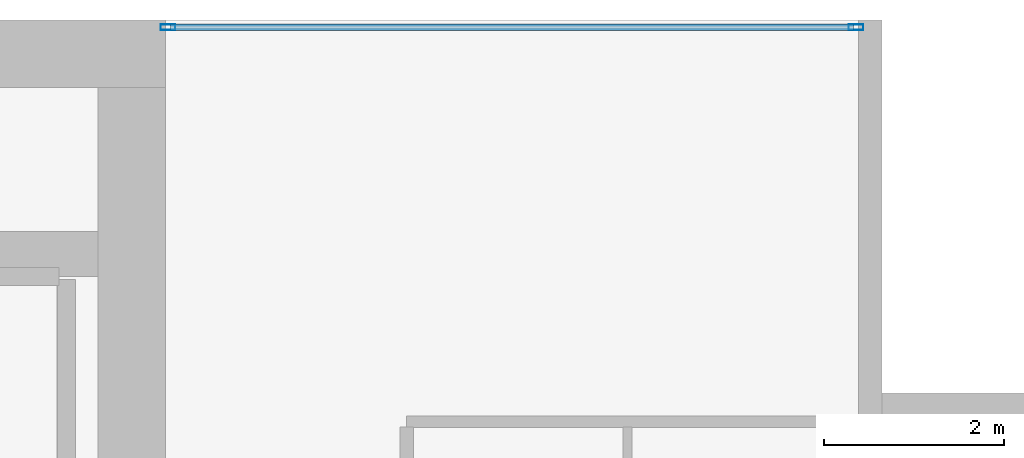
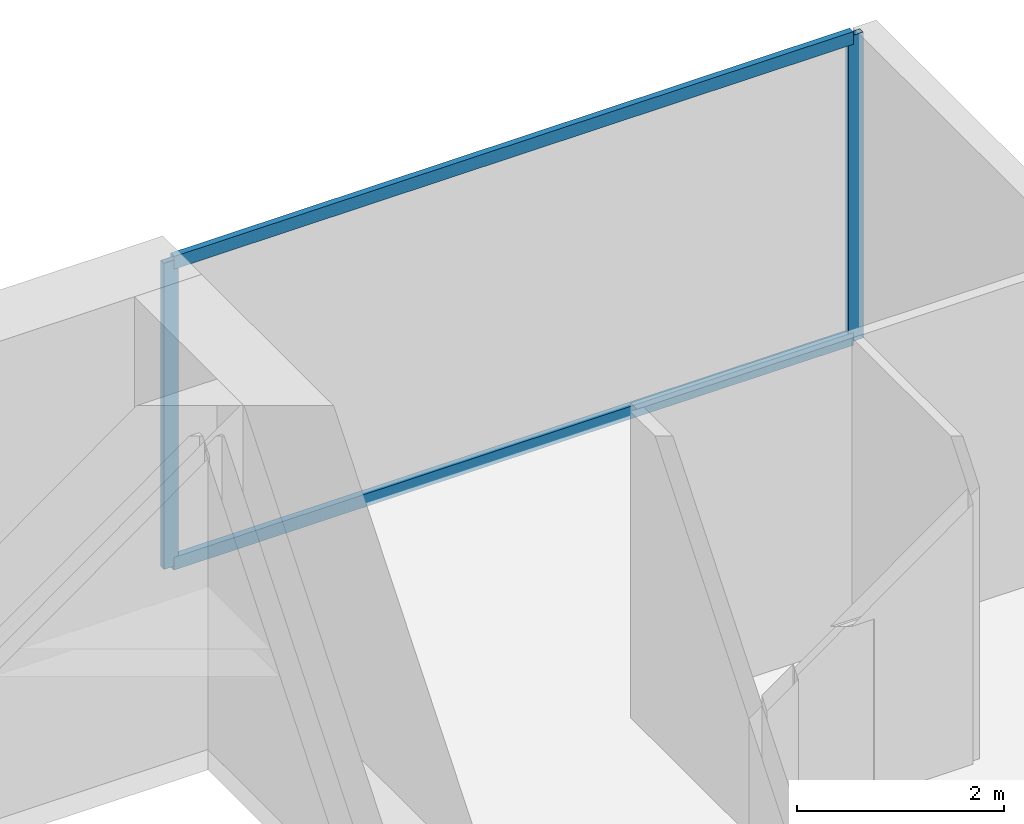
# One storey, part 25 of 33: 4 members, 1 element without a shape of its own.
"""IFC4 building model written with IfcOpenShell, lengths in metres."""

import ifcopenshell
import ifcopenshell.guid

model = None  # the IFC model being written
_history = None  # IfcOwnerHistory: only IFC2X3 demands one
_inside = {}  # id of a spatial element -> (the spatial element, [elements in it])
_under = {}  # id of a project, library or spatial element -> (it, [spatial elements below it])
_declared = {}  # id of a project -> (the project, [libraries it declares])
_typed = {}  # id of a type object -> (the type object, [elements of that type])
_made_of = {}  # id of a material, layer set ... -> (it, [elements and type objects made of it])


def new_model(schema):
    """Start an empty IFC model of exactly this schema.

    Asked for "IFC4X3", IfcOpenShell would pick the latest addendum, in which some entities
    have other attributes; the version numbers below select the first issue.
    IFC2X3 requires an IfcOwnerHistory on every rooted entity: one is made here for all.
    """
    global model, _history
    if schema == "IFC4X3":
        model = ifcopenshell.file(schema_version=(4, 3, 0, 0))
    else:
        model = ifcopenshell.file(schema=schema)
    _inside.clear()
    _under.clear()
    _declared.clear()
    _typed.clear()
    _made_of.clear()
    _history = None
    if model.schema == "IFC2X3":
        org = make("IfcOrganization", Name="unknown")
        user = make(
            "IfcPersonAndOrganization",
            ThePerson=make("IfcPerson", FamilyName="unknown"),
            TheOrganization=org,
        )
        app = make(
            "IfcApplication",
            ApplicationDeveloper=org,
            Version="unknown",
            ApplicationFullName="unknown",
            ApplicationIdentifier="unknown",
        )
        _history = make(
            "IfcOwnerHistory",
            OwningUser=user,
            OwningApplication=app,
            ChangeAction="ADDED",
            CreationDate=0,
        )
    return model


def make(cls, **values):
    """One entity of the class cls with the attributes given. An attribute that is None is left unset."""
    return model.create_entity(
        cls, **{name: value for name, value in values.items() if value is not None}
    )


def rooted(cls, **values):
    """An entity with a GlobalId (a new one), such as an element, a storey or a relation."""
    return make(cls, GlobalId=ifcopenshell.guid.new(), OwnerHistory=_history, **values)


def si_unit(unit_type, name, prefix=None):
    """IfcSIUnit, for example si_unit("LENGTHUNIT", "METRE", prefix="MILLI")."""
    return make("IfcSIUnit", UnitType=unit_type, Prefix=prefix, Name=name)


def assignment(units):
    """IfcUnitAssignment: the units of a project."""
    return None if units is None else make("IfcUnitAssignment", Units=units)


def point(xyz):
    """IfcCartesianPoint."""
    return None if xyz is None else make("IfcCartesianPoint", Coordinates=xyz)


def direction(xyz):
    """IfcDirection."""
    return None if xyz is None else make("IfcDirection", DirectionRatios=xyz)


def frame(location, z_axis=None, x_axis=None):
    """IfcAxis2Placement3D, a coordinate frame: its origin and axes. An axis left out is left unset."""
    return make(
        "IfcAxis2Placement3D",
        Location=point(location),
        Axis=direction(z_axis),
        RefDirection=direction(x_axis),
    )


def frame_2d(location, x_axis=None):
    """IfcAxis2Placement2D, a coordinate frame in the plane: its origin and x axis."""
    return make(
        "IfcAxis2Placement2D", Location=point(location), RefDirection=direction(x_axis)
    )


def origin():
    """The frame at (0, 0, 0) with its axes left unset."""
    return frame((0.0, 0.0, 0.0))


def origin_2d():
    """The frame at (0, 0) in the plane with its x axis left unset."""
    return frame_2d((0.0, 0.0))


def place(relative_to, where):
    """IfcLocalPlacement: puts the frame where relative to a parent placement (None: the world)."""
    return make(
        "IfcLocalPlacement", PlacementRelTo=relative_to, RelativePlacement=where
    )


def context(
    kind, dimensions, precision=None, world=None, true_north=None, identifier=None
):
    """IfcGeometricRepresentationContext, for example the 3D "Model" context."""
    return make(
        "IfcGeometricRepresentationContext",
        ContextIdentifier=identifier,
        ContextType=kind,
        CoordinateSpaceDimension=dimensions,
        Precision=precision,
        WorldCoordinateSystem=world,
        TrueNorth=true_north,
    )


def subcontext(parent, identifier, kind, view, scale=None):
    """IfcGeometricRepresentationSubContext, for example "Body" below "Model"."""
    return make(
        "IfcGeometricRepresentationSubContext",
        ContextIdentifier=identifier,
        ContextType=kind,
        ParentContext=parent,
        TargetScale=scale,
        TargetView=view,
    )


def project(units=None, contexts=None):
    """IfcProject with its units and contexts."""
    return rooted(
        "IfcProject",
        Name="project",
        RepresentationContexts=contexts,
        UnitsInContext=assignment(units),
    )


def spatial(cls, under=None, at=None, **own):
    """A site, building, storey or space (cls), placed at a placement, below another one or the project."""
    s = rooted(cls, ObjectPlacement=at, **own)
    if under is not None:
        _under.setdefault(under.id(), (under, []))[1].append(s)
    return s


def profile(cls, at=None, kind="AREA", **sizes):
    """A parametric profile (cls). Its sizes go by their IFC names, for example OverallWidth=200.0."""
    return make(cls, ProfileType=kind, Position=at, **sizes)


def hollow_rectangle(**sizes):
    """IfcRectangleHollowProfileDef."""
    return profile("IfcRectangleHollowProfileDef", **sizes)


def extrude(swept, where, along, depth):
    """IfcExtrudedAreaSolid: the profile swept, set in the frame where, extruded along a direction by depth."""
    return make(
        "IfcExtrudedAreaSolid",
        SweptArea=swept,
        Position=where,
        ExtrudedDirection=direction(along),
        Depth=depth,
    )


def shape(context_of_items, identifier, shape_type, items):
    """IfcShapeRepresentation: the items that make up one representation, for example the "Body"."""
    return make(
        "IfcShapeRepresentation",
        ContextOfItems=context_of_items,
        RepresentationIdentifier=identifier,
        RepresentationType=shape_type,
        Items=items,
    )


def material(Name=None, Category=None):
    """IfcMaterial."""
    return make("IfcMaterial", Name=Name, Category=Category)


def layer(
    of_material, thickness, ventilated=None, Name=None, Category=None, Priority=None
):
    """IfcMaterialLayer: one layer of a wall or slab, of a material (None: an air gap)."""
    return make(
        "IfcMaterialLayer",
        Material=of_material,
        LayerThickness=thickness,
        IsVentilated=ventilated,
        Name=Name,
        Category=Category,
        Priority=Priority,
    )


def layer_set(layers, Name=None):
    """IfcMaterialLayerSet."""
    return make("IfcMaterialLayerSet", MaterialLayers=layers, LayerSetName=Name)


def material_profile(
    of_material, cross_section, Name=None, Category=None, Priority=None
):
    """IfcMaterialProfile: a cross section and its material."""
    return make(
        "IfcMaterialProfile",
        Name=Name,
        Material=of_material,
        Profile=cross_section,
        Priority=Priority,
        Category=Category,
    )


def profile_set(profiles, Name=None, composite=None):
    """IfcMaterialProfileSet."""
    return make(
        "IfcMaterialProfileSet",
        Name=Name,
        MaterialProfiles=profiles,
        CompositeProfile=composite,
    )


def made_of(thing, what):
    """Note that an element or type object is made of a material, layer set ...; save() writes the relation."""
    if what is not None:
        _made_of.setdefault(what.id(), (what, []))[1].append(thing)
    return thing


def type_object(cls, material=None, **own):
    """A type object (cls), such as IfcWallType, which elements share."""
    return made_of(rooted(cls, **own), material)


def element(
    cls,
    number,
    at=None,
    inside=None,
    cuts=None,
    type_object=None,
    material=None,
    context=None,
    identifier="Body",
    shape_type=None,
    held_by="IfcProductDefinitionShape",
    body=None,
    shapes=None,
    **own,
):
    """One element of the class cls, such as IfcWall. Its Tag is "e" and its number.

    at: its placement. inside: the storey or other place that contains it. cuts: it is an
    opening in that element (IfcRelVoidsElement). A single representation is given by context,
    identifier, shape_type and body (its items); several are given by shapes. held_by: the class
    of the entity that holds the representations. save() writes the other relations.
    """
    e = rooted(cls, Tag="e%d" % number, ObjectPlacement=at, **own)
    if body is not None:
        shapes = [shape(context, identifier, shape_type, body)]
    if shapes is not None:
        e.Representation = make(held_by, Representations=shapes)
    if inside is not None:
        _inside.setdefault(inside.id(), (inside, []))[1].append(e)
    if cuts is not None:
        rooted(
            "IfcRelVoidsElement", RelatingBuildingElement=cuts, RelatedOpeningElement=e
        )
    if type_object is not None:
        _typed.setdefault(type_object.id(), (type_object, []))[1].append(e)
    return made_of(e, material)


def aggregate(whole, parts):
    """IfcRelAggregates: a whole, such as a stair, and the parts it consists of."""
    return rooted("IfcRelAggregates", RelatingObject=whole, RelatedObjects=parts)


def save(model, path):
    """Write the relations noted so far, then the file.

    IfcRelAggregates (storeys below a building ...), IfcRelContainedInSpatialStructure (elements
    in a storey), IfcRelDefinesByType, IfcRelAssociatesMaterial and IfcRelDeclares: one each for
    every whole, place, type object, material and project.
    """
    for whole, parts in _under.values():
        aggregate(whole, parts)
    for where, things in _inside.values():
        rooted(
            "IfcRelContainedInSpatialStructure",
            RelatedElements=things,
            RelatingStructure=where,
        )
    for kind, things in _typed.values():
        rooted("IfcRelDefinesByType", RelatedObjects=things, RelatingType=kind)
    for what, things in _made_of.values():
        rooted("IfcRelAssociatesMaterial", RelatedObjects=things, RelatingMaterial=what)
    for by, libraries in _declared.values():
        rooted("IfcRelDeclares", RelatingContext=by, RelatedDefinitions=libraries)
    model.write(path)


model = new_model("IFC4")

# Units and contexts
model_context = context("Model", 3, precision=1e-05, world=origin(), true_north=direction((0.0, 1.0)))
body_context = subcontext(model_context, "Body", "Model", "MODEL_VIEW")
ifc_project = project(units=[si_unit("LENGTHUNIT", "METRE"), si_unit("AREAUNIT", "SQUARE_METRE"), si_unit("VOLUMEUNIT", "CUBIC_METRE"), si_unit("PLANEANGLEUNIT", "RADIAN"), si_unit("MASSUNIT", "GRAM", prefix="KILO")], contexts=[model_context])

# Site, building, storey
site_placement = place(None, origin())
site = spatial("IfcSite", under=ifc_project, at=site_placement, CompositionType="ELEMENT")
building_placement = place(site_placement, origin())
building = spatial("IfcBuilding", under=site, at=building_placement, Name="Maruvema Waterfront Hotel and Observation Tower", CompositionType="ELEMENT")
storey_placement = place(building_placement, frame((0.0, 0.0, 196.699951171875)))
storey = spatial("IfcBuildingStorey", under=building, at=storey_placement, Name="L48", CompositionType="ELEMENT", Elevation=196.699951171875)

# Curtain wall, members
ifc_material_1 = material(Name="Anodised bronze aluminium and solar-control low-E IGU", Category="aluminium")
ifc_layer = layer(ifc_material_1, 0.159912109375, Name="Zone 2 Amber Inner Thermal Curtain Wall System CW-03")
ifc_layer_set = layer_set([ifc_layer], Name="Anodised bronze aluminium and solar-control low-E IGU")
curtain_wall_type = type_object("IfcCurtainWallType", Name="Zone 2 Amber Inner Thermal Curtain Wall System CW-03", PredefinedType="USERDEFINED", material=ifc_layer_set)
curtain_wall_placement = place(storey_placement, origin())
curtain_wall = element("IfcCurtainWall", 1, at=curtain_wall_placement, inside=storey, type_object=curtain_wall_type, Name="L48 Curtain Wall CW-L48-NE", ObjectType="UNITISED CURTAIN WALL", PredefinedType="USERDEFINED")
ifc_material_2 = material(Name="Anodised architectural bronze aluminium", Category="aluminium")
ifc_material_profile_1 = material_profile(ifc_material_2, hollow_rectangle(XDim=0.070068359375, YDim=0.14990234375, WallThickness=0.00390625, at=origin_2d()), Name="ALU-T70x150")
ifc_profile_set_1 = profile_set([ifc_material_profile_1], Name="Anodised architectural bronze aluminium")
member_type_1 = type_object("IfcMemberType", Name="Curtain Wall Horizontal Transom ALU-T70x150", PredefinedType="USERDEFINED", material=ifc_profile_set_1)
member_1_placement = place(storey_placement, frame((58.0400390625, 53.919921875, 0.030029296875), z_axis=(-1.0, 0.0, 0.0), x_axis=(0.0, -1.0, 0.0)))
member_1 = element("IfcMember", 2, at=member_1_placement, type_object=member_type_1, Name="CW-03 transom 1.1", ObjectType="TRANSOM", PredefinedType="USERDEFINED", context=body_context, shape_type="SweptSolid", body=[
    extrude(hollow_rectangle(XDim=0.070068359375, YDim=0.14990234375, WallThickness=0.00390625, at=origin_2d()), origin(), (0.0, 0.0, 1.0), 7.580078125),
])
member_2_placement = place(storey_placement, frame((58.0400390625, 53.919921875, 3.580078125), z_axis=(-1.0, 0.0, 0.0), x_axis=(0.0, -1.0, 0.0)))
member_2 = element("IfcMember", 3, at=member_2_placement, type_object=member_type_1, Name="CW-03 transom 1.2", ObjectType="TRANSOM", PredefinedType="USERDEFINED", context=body_context, shape_type="SweptSolid", body=[
    extrude(hollow_rectangle(XDim=0.070068359375, YDim=0.14990234375, WallThickness=0.00390625, at=origin_2d()), origin(), (0.0, 0.0, 1.0), 7.580078125),
])
ifc_material_3 = material(Name="Anodised architectural bronze aluminium", Category="aluminium")
ifc_material_profile_2 = material_profile(ifc_material_3, hollow_rectangle(XDim=0.06494140625, YDim=0.1650390625, WallThickness=0.00390625, at=origin_2d()), Name="ALU-M65x165")
ifc_profile_set_2 = profile_set([ifc_material_profile_2], Name="Anodised architectural bronze aluminium")
member_type_2 = type_object("IfcMemberType", Name="Curtain Wall Primary Mullion ALU-M65x165", PredefinedType="MULLION", material=ifc_profile_set_2)
member_3_placement = place(storey_placement, frame((58.070068359375, 53.919921875, 0.0), z_axis=(0.0, 0.0, 1.0), x_axis=(0.0, -1.0, 0.0)))
member_3 = element("IfcMember", 4, at=member_3_placement, type_object=member_type_2, Name="CW-03 mullion 1", PredefinedType="MULLION", context=body_context, shape_type="SweptSolid", body=[
    extrude(hollow_rectangle(XDim=0.06494140625, YDim=0.1650390625, WallThickness=0.00390625, at=origin_2d()), origin(), (0.0, 0.0, 1.0), 3.610107421875),
])
member_4_placement = place(storey_placement, frame((50.429931640625, 53.919921875, 0.0), z_axis=(0.0, 0.0, 1.0), x_axis=(0.0, -1.0, 0.0)))
member_4 = element("IfcMember", 5, at=member_4_placement, type_object=member_type_2, Name="CW-03 mullion 2", PredefinedType="MULLION", context=body_context, shape_type="SweptSolid", body=[
    extrude(hollow_rectangle(XDim=0.06494140625, YDim=0.1650390625, WallThickness=0.00390625, at=origin_2d()), origin(), (0.0, 0.0, 1.0), 3.610107421875),
])
aggregate(curtain_wall, [member_3, member_4, member_1, member_2])

save(model, "model.ifc")
